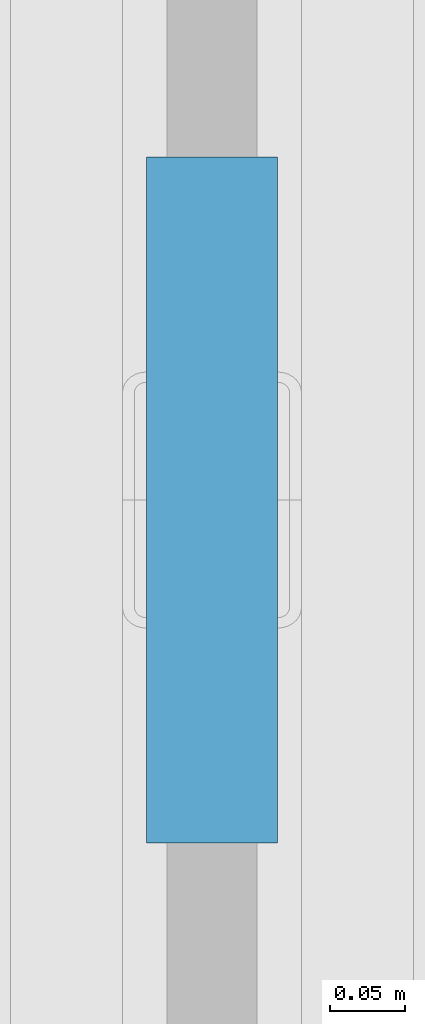
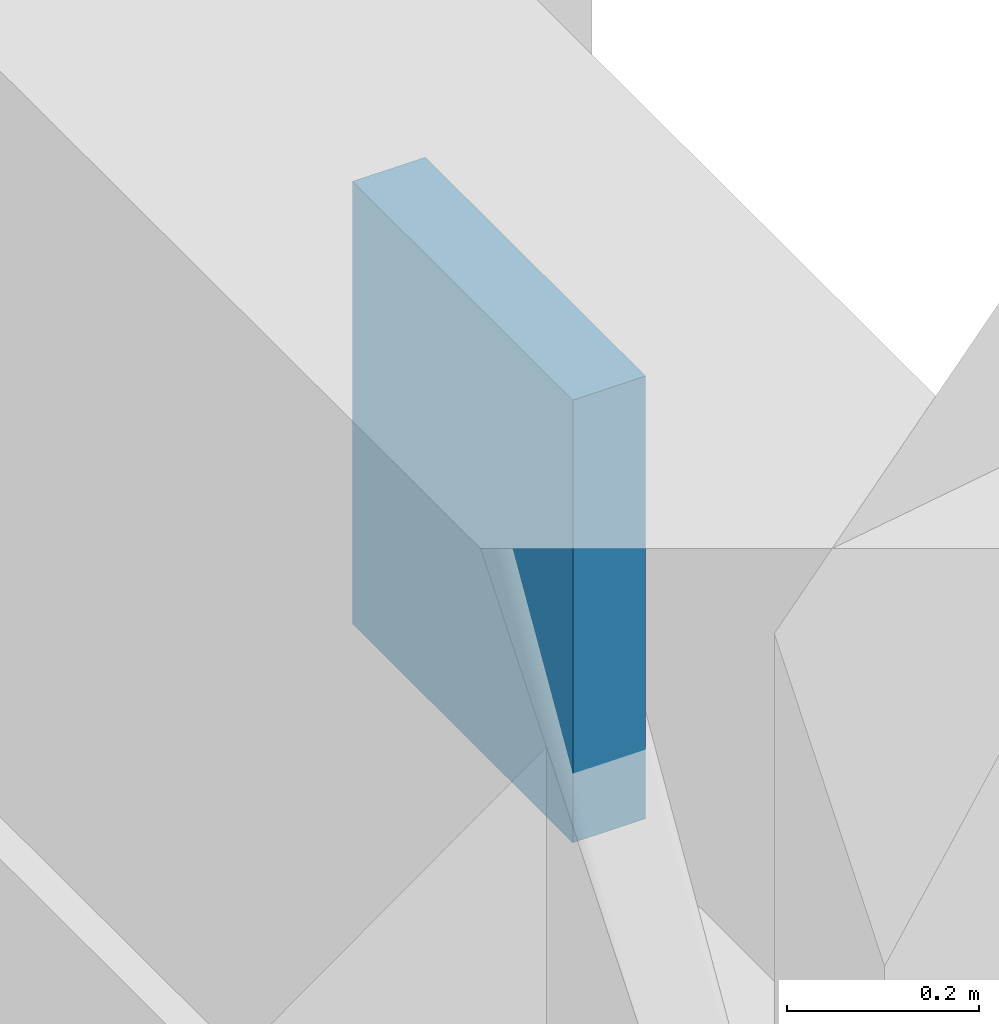
# One storey, part 62 of 86: 1 plate.
"""IFC4 building model written with IfcOpenShell, lengths in metres."""

from ifc_helpers import new_model, si_unit, direction, frame, origin, origin_2d, place, context, subcontext, project, spatial, rectangle, extrude, material, layer, layer_set, type_object, element, save


model = new_model("IFC4")

# Units and contexts
model_context = context("Model", 3, precision=1e-05, world=origin(), true_north=direction((0.0, 1.0)))
body_context = subcontext(model_context, "Body", "Model", "MODEL_VIEW")
ifc_project = project(units=[si_unit("LENGTHUNIT", "METRE"), si_unit("AREAUNIT", "SQUARE_METRE"), si_unit("VOLUMEUNIT", "CUBIC_METRE"), si_unit("PLANEANGLEUNIT", "RADIAN"), si_unit("MASSUNIT", "GRAM", prefix="KILO")], contexts=[model_context])

# Site, building, storey
site_placement = place(None, origin())
site = spatial("IfcSite", under=ifc_project, at=site_placement, CompositionType="ELEMENT")
building_placement = place(site_placement, origin())
building = spatial("IfcBuilding", under=site, at=building_placement, Name="Kolvemor Railside Polytechnic", CompositionType="ELEMENT")
storey_placement = place(building_placement, frame((0.0, 0.0, 5.39990234375)))
storey = spatial("IfcBuildingStorey", under=building, at=storey_placement, Name="L01", CompositionType="ELEMENT", Elevation=5.39990234375)

# Plate
ifc_material = material(Name="Steel S355", Category="steel")
ifc_layer = layer(ifc_material, 0.087890625, Name="PLT-GUSSET-8")
ifc_layer_set = layer_set([ifc_layer], Name="Steel S355")
plate_type = type_object("IfcPlateType", Name="PLT-GUSSET-8", PredefinedType="USERDEFINED", material=ifc_layer_set)
plate_placement = place(storey_placement, frame((182.39990234375, 79.199951171875, 3.898193359375), z_axis=(0.0, 0.0, 1.0), x_axis=(0.0, 1.0, 0.0)))
element("IfcPlate", 1, at=plate_placement, inside=storey, type_object=plate_type, Name="Brace Chevron Gusset Plate GP-BR08", ObjectType="GUSSET PLATE", PredefinedType="USERDEFINED", context=body_context, shape_type="SweptSolid", body=[
    extrude(rectangle(XDim=0.4599609375, YDim=0.087890625, at=origin_2d()), origin(), (0.0, 0.0, 1.0), 0.56396484375),
])

save(model, "model.ifc")
